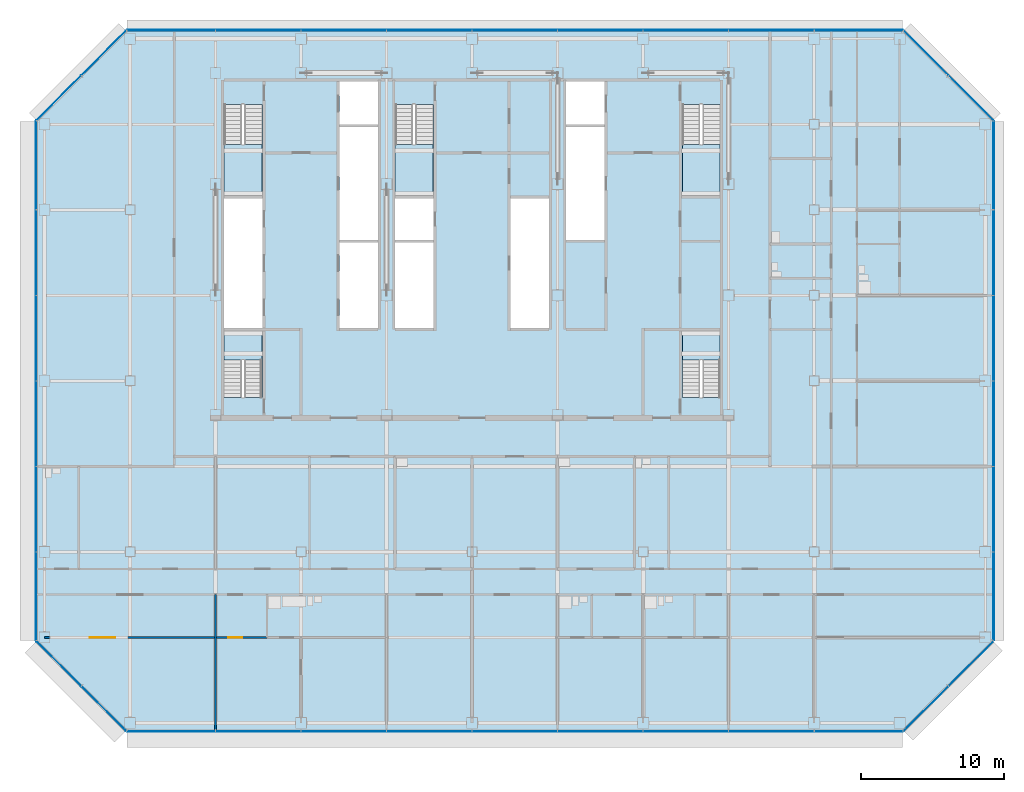
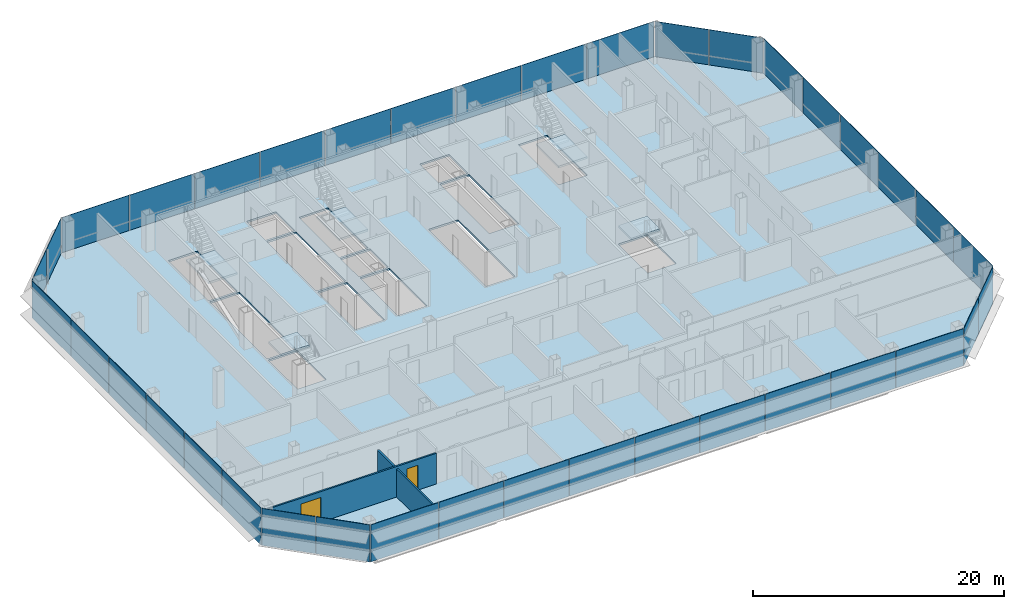
# One storey, part 18 of 25: 38 plates, 6 slabs, 2 doors, 2 walls, 2 openings, 13 elements without a shape of their own.
"""IFC4 building model written with IfcOpenShell, lengths in metres."""

from ifc_helpers import new_model, si_unit, direction, frame, frame_2d, origin, origin_2d, place, context, subcontext, project, spatial, polyline, rectangle, outline, extrude, material, layer, layer_set, type_object, element, fill, aggregate, save


model = new_model("IFC4")

# Units and contexts
model_context = context("Model", 3, precision=1e-05, world=origin(), true_north=direction((0.0, 1.0)))
body_context = subcontext(model_context, "Body", "Model", "MODEL_VIEW")
ifc_project = project(units=[si_unit("LENGTHUNIT", "METRE"), si_unit("AREAUNIT", "SQUARE_METRE"), si_unit("VOLUMEUNIT", "CUBIC_METRE"), si_unit("PLANEANGLEUNIT", "RADIAN"), si_unit("MASSUNIT", "GRAM", prefix="KILO")], contexts=[model_context])

# Site, building, storey
site_placement = place(None, origin())
site = spatial("IfcSite", under=ifc_project, at=site_placement, CompositionType="ELEMENT")
building_placement = place(site_placement, origin())
building = spatial("IfcBuilding", under=site, at=building_placement, Name="Sorahane Residences", CompositionType="ELEMENT")
storey_placement = place(building_placement, frame((0.0, 0.0, 119.60009765625)))
storey = spatial("IfcBuildingStorey", under=building, at=storey_placement, Name="L26", CompositionType="ELEMENT", Elevation=119.60009765625)

# Slab
ifc_material_1 = material(Name="Concrete C35", Category="concrete")
ifc_layer_1 = layer(ifc_material_1, 0.179931640625)
ifc_layer_set_1 = layer_set([ifc_layer_1], Name="Composite floor slab 180 mm Concrete C35")
slab_type_1 = type_object("IfcSlabType", Name="Composite floor slab 180 mm Concrete C35", PredefinedType="FLOOR", material=ifc_layer_set_1)
slab_1_placement = place(storey_placement, frame((0.0, 0.0, -0.18017578125)))
element("IfcSlab", 1, at=slab_1_placement, inside=storey, type_object=slab_type_1, Name="Slab L26", PredefinedType="FLOOR", context=body_context, shape_type="SweptSolid", body=[
    extrude(outline(polyline([(-0.24853515625, -0.60009765625), (-6.60009765625, 5.75146484375), (-6.60009765625, 42.24853515625), (-0.24853515625, 48.60009765625), (54.24853515625, 48.60009765625), (60.60009765625, 42.24853515625), (60.60009765625, 5.75146484375), (54.24853515625, -0.60009765625), (-0.24853515625, -0.60009765625)]), holes=[polyline([(18.60009765625, 27.699951171875), (21.300048828125, 27.699951171875), (21.300048828125, 33.699951171875), (18.60009765625, 33.699951171875), (18.60009765625, 27.699951171875)]), polyline([(30.60009765625, 42.0), (33.300048828125, 42.0), (33.300048828125, 45.0), (30.60009765625, 45.0), (30.60009765625, 42.0)]), polyline([(14.699951171875, 27.699951171875), (17.39990234375, 27.699951171875), (17.39990234375, 33.699951171875), (14.699951171875, 33.699951171875), (14.699951171875, 27.699951171875)]), polyline([(14.699951171875, 42.0), (17.39990234375, 42.0), (17.39990234375, 45.0), (14.699951171875, 45.0), (14.699951171875, 42.0)]), polyline([(6.60009765625, 27.699951171875), (9.300048828125, 27.699951171875), (9.300048828125, 36.800048828125), (6.60009765625, 36.800048828125), (6.60009765625, 27.699951171875)]), polyline([(6.60009765625, 43.39990234375), (6.60009765625, 37.0), (9.25, 37.0), (9.25, 43.39990234375), (6.60009765625, 43.39990234375)]), polyline([(38.75, 43.39990234375), (38.75, 37.0), (41.39990234375, 37.0), (41.39990234375, 43.39990234375), (38.75, 43.39990234375)]), polyline([(18.60009765625, 43.39990234375), (18.60009765625, 37.0), (21.25, 37.0), (21.25, 43.39990234375), (18.60009765625, 43.39990234375)]), polyline([(9.25, 22.85009765625), (9.25, 27.5), (6.60009765625, 27.5), (6.60009765625, 22.85009765625), (9.25, 22.85009765625)]), polyline([(41.39990234375, 22.85009765625), (41.39990234375, 27.5), (38.75, 27.5), (38.75, 22.85009765625), (41.39990234375, 22.85009765625)]), polyline([(14.699951171875, 33.89990234375), (17.39990234375, 33.89990234375), (17.39990234375, 41.800048828125), (14.699951171875, 41.800048828125), (14.699951171875, 33.89990234375)]), polyline([(30.60009765625, 33.89990234375), (33.300048828125, 33.89990234375), (33.300048828125, 41.800048828125), (30.60009765625, 41.800048828125), (30.60009765625, 33.89990234375)]), polyline([(18.60009765625, 33.89990234375), (21.300048828125, 33.89990234375), (21.300048828125, 36.800048828125), (18.60009765625, 36.800048828125), (18.60009765625, 33.89990234375)]), polyline([(26.699951171875, 27.699951171875), (29.39990234375, 27.699951171875), (29.39990234375, 36.800048828125), (26.699951171875, 36.800048828125), (26.699951171875, 27.699951171875)])]), origin(), (0.0, 0.0, 1.0), 0.18017578125),
])

# Curtain wall, plates
ifc_material_2 = material(Name="Dark low-e glass and black anodised aluminium", Category="aluminium")
curtain_wall_type_1 = type_object("IfcCurtainWallType", Name="Curtain wall CW-1 Typical unitised wall", PredefinedType="NOTDEFINED", material=ifc_material_2)
curtain_wall_1_placement = place(storey_placement, origin())
curtain_wall_1 = element("IfcCurtainWall", 2, at=curtain_wall_1_placement, inside=storey, type_object=curtain_wall_type_1, Name="CW-1 curtain wall L26 S1", PredefinedType="NOTDEFINED")
ifc_material_3 = material(Name="Dark low-e glass with black ceramic frit", Category="glass")
ifc_layer_2 = layer(ifc_material_3, 0.0400390625)
ifc_layer_set_2 = layer_set([ifc_layer_2], Name="Curtain wall glass panel dark low-e with black frit spandrel band")
plate_type = type_object("IfcPlateType", Name="Curtain wall glass panel dark low-e with black frit spandrel band", PredefinedType="CURTAIN_PANEL", material=ifc_layer_set_2)
plate_1_placement = place(storey_placement, frame((2.88818359375, -0.60009765625, -0.18017578125), z_axis=(0.0, 0.0, 1.0), x_axis=(1.0, 0.0, 0.0)))
plate_1 = element("IfcPlate", 3, at=plate_1_placement, type_object=plate_type, Name="CW-1 glass panel L26 S1.1", PredefinedType="CURTAIN_PANEL", context=body_context, shape_type="SweptSolid", body=[
    extrude(rectangle(XDim=6.173583984375, YDim=0.0400390625, at=origin_2d()), origin(), (0.0, 0.0, 1.0), 3.60009765625),
])
plate_2_placement = place(storey_placement, frame((9.0, -0.60009765625, -0.18017578125), z_axis=(0.0, 0.0, 1.0), x_axis=(1.0, 0.0, 0.0)))
plate_2 = element("IfcPlate", 4, at=plate_2_placement, type_object=plate_type, Name="CW-1 glass panel L26 S1.2", PredefinedType="CURTAIN_PANEL", context=body_context, shape_type="SweptSolid", body=[
    extrude(rectangle(XDim=5.949951171875, YDim=0.0400390625, at=origin_2d()), origin(), (0.0, 0.0, 1.0), 3.60009765625),
])
plate_3_placement = place(storey_placement, frame((15.0, -0.60009765625, -0.18017578125), z_axis=(0.0, 0.0, 1.0), x_axis=(1.0, 0.0, 0.0)))
plate_3 = element("IfcPlate", 5, at=plate_3_placement, type_object=plate_type, Name="CW-1 glass panel L26 S1.3", PredefinedType="CURTAIN_PANEL", context=body_context, shape_type="SweptSolid", body=[
    extrude(rectangle(XDim=5.949951171875, YDim=0.0400390625, at=origin_2d()), origin(), (0.0, 0.0, 1.0), 3.60009765625),
])
plate_4_placement = place(storey_placement, frame((21.0, -0.60009765625, -0.18017578125), z_axis=(0.0, 0.0, 1.0), x_axis=(1.0, 0.0, 0.0)))
plate_4 = element("IfcPlate", 6, at=plate_4_placement, type_object=plate_type, Name="CW-1 glass panel L26 S1.4", PredefinedType="CURTAIN_PANEL", context=body_context, shape_type="SweptSolid", body=[
    extrude(rectangle(XDim=5.949951171875, YDim=0.0400390625, at=origin_2d()), origin(), (0.0, 0.0, 1.0), 3.60009765625),
])
plate_5_placement = place(storey_placement, frame((27.0, -0.60009765625, -0.18017578125), z_axis=(0.0, 0.0, 1.0), x_axis=(1.0, 0.0, 0.0)))
plate_5 = element("IfcPlate", 7, at=plate_5_placement, type_object=plate_type, Name="CW-1 glass panel L26 S1.5", PredefinedType="CURTAIN_PANEL", context=body_context, shape_type="SweptSolid", body=[
    extrude(rectangle(XDim=5.949951171875, YDim=0.0400390625, at=origin_2d()), origin(), (0.0, 0.0, 1.0), 3.60009765625),
])
plate_6_placement = place(storey_placement, frame((33.0, -0.60009765625, -0.18017578125), z_axis=(0.0, 0.0, 1.0), x_axis=(1.0, 0.0, 0.0)))
plate_6 = element("IfcPlate", 8, at=plate_6_placement, type_object=plate_type, Name="CW-1 glass panel L26 S1.6", PredefinedType="CURTAIN_PANEL", context=body_context, shape_type="SweptSolid", body=[
    extrude(rectangle(XDim=5.949951171875, YDim=0.0400390625, at=origin_2d()), origin(), (0.0, 0.0, 1.0), 3.60009765625),
])
plate_7_placement = place(storey_placement, frame((39.0, -0.60009765625, -0.18017578125), z_axis=(0.0, 0.0, 1.0), x_axis=(1.0, 0.0, 0.0)))
plate_7 = element("IfcPlate", 9, at=plate_7_placement, type_object=plate_type, Name="CW-1 glass panel L26 S1.7", PredefinedType="CURTAIN_PANEL", context=body_context, shape_type="SweptSolid", body=[
    extrude(rectangle(XDim=5.949951171875, YDim=0.0400390625, at=origin_2d()), origin(), (0.0, 0.0, 1.0), 3.60009765625),
])
plate_8_placement = place(storey_placement, frame((45.0, -0.60009765625, -0.18017578125), z_axis=(0.0, 0.0, 1.0), x_axis=(1.0, 0.0, 0.0)))
plate_8 = element("IfcPlate", 10, at=plate_8_placement, type_object=plate_type, Name="CW-1 glass panel L26 S1.8", PredefinedType="CURTAIN_PANEL", context=body_context, shape_type="SweptSolid", body=[
    extrude(rectangle(XDim=5.949951171875, YDim=0.0400390625, at=origin_2d()), origin(), (0.0, 0.0, 1.0), 3.60009765625),
])
plate_9_placement = place(storey_placement, frame((51.11181640625, -0.60009765625, -0.18017578125), z_axis=(0.0, 0.0, 1.0), x_axis=(1.0, 0.0, 0.0)))
plate_9 = element("IfcPlate", 11, at=plate_9_placement, type_object=plate_type, Name="CW-1 glass panel L26 S1.9", PredefinedType="CURTAIN_PANEL", context=body_context, shape_type="SweptSolid", body=[
    extrude(rectangle(XDim=6.173583984375, YDim=0.0400390625, at=origin_2d()), origin(), (0.0, 0.0, 1.0), 3.60009765625),
])
aggregate(curtain_wall_1, [plate_1, plate_2, plate_3, plate_4, plate_5, plate_6, plate_7, plate_8, plate_9])

ifc_material_4 = material(Name="Dark low-e glass and black anodised aluminium", Category="aluminium")
curtain_wall_type_2 = type_object("IfcCurtainWallType", Name="Curtain wall CW-2 Chamfer unitised wall", PredefinedType="NOTDEFINED", material=ifc_material_4)
curtain_wall_2_placement = place(storey_placement, origin())
curtain_wall_2 = element("IfcCurtainWall", 12, at=curtain_wall_2_placement, inside=storey, type_object=curtain_wall_type_2, Name="CW-2 curtain wall L26 SE1", PredefinedType="NOTDEFINED")
plate_10_placement = place(storey_placement, frame((55.84521484375, 0.996826171875, -0.18017578125), z_axis=(0.0, 0.0, 1.0), x_axis=(0.707106781187, 0.707106781187, 0.0)))
plate_10 = element("IfcPlate", 13, at=plate_10_placement, type_object=plate_type, Name="CW-2 glass panel L26 SE1.1", PredefinedType="CURTAIN_PANEL", context=body_context, shape_type="SweptSolid", body=[
    extrude(rectangle(XDim=4.416259765625, YDim=0.0400390625, at=origin_2d()), origin(), (0.0, 0.0, 1.0), 3.60009765625),
])
plate_11_placement = place(storey_placement, frame((59.003173828125, 4.15478515625, -0.18017578125), z_axis=(0.0, 0.0, 1.0), x_axis=(0.707106781187, 0.707106781187, 0.0)))
plate_11 = element("IfcPlate", 14, at=plate_11_placement, type_object=plate_type, Name="CW-2 glass panel L26 SE1.2", PredefinedType="CURTAIN_PANEL", context=body_context, shape_type="SweptSolid", body=[
    extrude(rectangle(XDim=4.416259765625, YDim=0.0400390625, at=origin_2d()), origin(), (0.0, 0.0, 1.0), 3.60009765625),
])
aggregate(curtain_wall_2, [plate_10, plate_11])

curtain_wall_3_placement = place(storey_placement, origin())
curtain_wall_3 = element("IfcCurtainWall", 15, at=curtain_wall_3_placement, inside=storey, type_object=curtain_wall_type_1, Name="CW-1 curtain wall L26 E1", PredefinedType="NOTDEFINED")
plate_12_placement = place(storey_placement, frame((60.60009765625, 8.88818359375, -0.18017578125), z_axis=(0.0, 0.0, 1.0), x_axis=(0.0, 1.0, 0.0)))
plate_12 = element("IfcPlate", 16, at=plate_12_placement, type_object=plate_type, Name="CW-1 glass panel L26 E1.1", PredefinedType="CURTAIN_PANEL", context=body_context, shape_type="SweptSolid", body=[
    extrude(rectangle(XDim=6.173583984375, YDim=0.0400390625, at=origin_2d()), origin(), (0.0, 0.0, 1.0), 3.60009765625),
])
plate_13_placement = place(storey_placement, frame((60.60009765625, 15.0, -0.18017578125), z_axis=(0.0, 0.0, 1.0), x_axis=(0.0, 1.0, 0.0)))
plate_13 = element("IfcPlate", 17, at=plate_13_placement, type_object=plate_type, Name="CW-1 glass panel L26 E1.2", PredefinedType="CURTAIN_PANEL", context=body_context, shape_type="SweptSolid", body=[
    extrude(rectangle(XDim=5.949951171875, YDim=0.0400390625, at=origin_2d()), origin(), (0.0, 0.0, 1.0), 3.60009765625),
])
plate_14_placement = place(storey_placement, frame((60.60009765625, 21.0, -0.18017578125), z_axis=(0.0, 0.0, 1.0), x_axis=(0.0, 1.0, 0.0)))
plate_14 = element("IfcPlate", 18, at=plate_14_placement, type_object=plate_type, Name="CW-1 glass panel L26 E1.3", PredefinedType="CURTAIN_PANEL", context=body_context, shape_type="SweptSolid", body=[
    extrude(rectangle(XDim=5.949951171875, YDim=0.0400390625, at=origin_2d()), origin(), (0.0, 0.0, 1.0), 3.60009765625),
])
plate_15_placement = place(storey_placement, frame((60.60009765625, 27.0, -0.18017578125), z_axis=(0.0, 0.0, 1.0), x_axis=(0.0, 1.0, 0.0)))
plate_15 = element("IfcPlate", 19, at=plate_15_placement, type_object=plate_type, Name="CW-1 glass panel L26 E1.4", PredefinedType="CURTAIN_PANEL", context=body_context, shape_type="SweptSolid", body=[
    extrude(rectangle(XDim=5.949951171875, YDim=0.0400390625, at=origin_2d()), origin(), (0.0, 0.0, 1.0), 3.60009765625),
])
plate_16_placement = place(storey_placement, frame((60.60009765625, 33.0, -0.18017578125), z_axis=(0.0, 0.0, 1.0), x_axis=(0.0, 1.0, 0.0)))
plate_16 = element("IfcPlate", 20, at=plate_16_placement, type_object=plate_type, Name="CW-1 glass panel L26 E1.5", PredefinedType="CURTAIN_PANEL", context=body_context, shape_type="SweptSolid", body=[
    extrude(rectangle(XDim=5.949951171875, YDim=0.0400390625, at=origin_2d()), origin(), (0.0, 0.0, 1.0), 3.60009765625),
])
plate_17_placement = place(storey_placement, frame((60.60009765625, 39.11181640625, -0.18017578125), z_axis=(0.0, 0.0, 1.0), x_axis=(0.0, 1.0, 0.0)))
plate_17 = element("IfcPlate", 21, at=plate_17_placement, type_object=plate_type, Name="CW-1 glass panel L26 E1.6", PredefinedType="CURTAIN_PANEL", context=body_context, shape_type="SweptSolid", body=[
    extrude(rectangle(XDim=6.173583984375, YDim=0.0400390625, at=origin_2d()), origin(), (0.0, 0.0, 1.0), 3.60009765625),
])
aggregate(curtain_wall_3, [plate_12, plate_13, plate_14, plate_15, plate_16, plate_17])

curtain_wall_4_placement = place(storey_placement, origin())
curtain_wall_4 = element("IfcCurtainWall", 22, at=curtain_wall_4_placement, inside=storey, type_object=curtain_wall_type_2, Name="CW-2 curtain wall L26 NE1", PredefinedType="NOTDEFINED")
plate_18_placement = place(storey_placement, frame((59.003173828125, 43.84521484375, -0.18017578125), z_axis=(0.0, 0.0, 1.0), x_axis=(-0.707106781187, 0.707106781187, 0.0)))
plate_18 = element("IfcPlate", 23, at=plate_18_placement, type_object=plate_type, Name="CW-2 glass panel L26 NE1.1", PredefinedType="CURTAIN_PANEL", context=body_context, shape_type="SweptSolid", body=[
    extrude(rectangle(XDim=4.416259765625, YDim=0.0400390625, at=origin_2d()), origin(), (0.0, 0.0, 1.0), 3.60009765625),
])
plate_19_placement = place(storey_placement, frame((55.84521484375, 47.003173828125, -0.18017578125), z_axis=(0.0, 0.0, 1.0), x_axis=(-0.707106781187, 0.707106781187, 0.0)))
plate_19 = element("IfcPlate", 24, at=plate_19_placement, type_object=plate_type, Name="CW-2 glass panel L26 NE1.2", PredefinedType="CURTAIN_PANEL", context=body_context, shape_type="SweptSolid", body=[
    extrude(rectangle(XDim=4.416259765625, YDim=0.0400390625, at=origin_2d()), origin(), (0.0, 0.0, 1.0), 3.60009765625),
])
aggregate(curtain_wall_4, [plate_18, plate_19])

curtain_wall_5_placement = place(storey_placement, origin())
curtain_wall_5 = element("IfcCurtainWall", 25, at=curtain_wall_5_placement, inside=storey, type_object=curtain_wall_type_1, Name="CW-1 curtain wall L26 N1", PredefinedType="NOTDEFINED")
plate_20_placement = place(storey_placement, frame((51.11181640625, 48.60009765625, -0.18017578125), z_axis=(0.0, 0.0, 1.0), x_axis=(-1.0, 0.0, 0.0)))
plate_20 = element("IfcPlate", 26, at=plate_20_placement, type_object=plate_type, Name="CW-1 glass panel L26 N1.1", PredefinedType="CURTAIN_PANEL", context=body_context, shape_type="SweptSolid", body=[
    extrude(rectangle(XDim=6.173583984375, YDim=0.0400390625, at=origin_2d()), origin(), (0.0, 0.0, 1.0), 3.60009765625),
])
plate_21_placement = place(storey_placement, frame((45.0, 48.60009765625, -0.18017578125), z_axis=(0.0, 0.0, 1.0), x_axis=(-1.0, 0.0, 0.0)))
plate_21 = element("IfcPlate", 27, at=plate_21_placement, type_object=plate_type, Name="CW-1 glass panel L26 N1.2", PredefinedType="CURTAIN_PANEL", context=body_context, shape_type="SweptSolid", body=[
    extrude(rectangle(XDim=5.949951171875, YDim=0.0400390625, at=origin_2d()), origin(), (0.0, 0.0, 1.0), 3.60009765625),
])
plate_22_placement = place(storey_placement, frame((39.0, 48.60009765625, -0.18017578125), z_axis=(0.0, 0.0, 1.0), x_axis=(-1.0, 0.0, 0.0)))
plate_22 = element("IfcPlate", 28, at=plate_22_placement, type_object=plate_type, Name="CW-1 glass panel L26 N1.3", PredefinedType="CURTAIN_PANEL", context=body_context, shape_type="SweptSolid", body=[
    extrude(rectangle(XDim=5.949951171875, YDim=0.0400390625, at=origin_2d()), origin(), (0.0, 0.0, 1.0), 3.60009765625),
])
plate_23_placement = place(storey_placement, frame((33.0, 48.60009765625, -0.18017578125), z_axis=(0.0, 0.0, 1.0), x_axis=(-1.0, 0.0, 0.0)))
plate_23 = element("IfcPlate", 29, at=plate_23_placement, type_object=plate_type, Name="CW-1 glass panel L26 N1.4", PredefinedType="CURTAIN_PANEL", context=body_context, shape_type="SweptSolid", body=[
    extrude(rectangle(XDim=5.949951171875, YDim=0.0400390625, at=origin_2d()), origin(), (0.0, 0.0, 1.0), 3.60009765625),
])
plate_24_placement = place(storey_placement, frame((27.0, 48.60009765625, -0.18017578125), z_axis=(0.0, 0.0, 1.0), x_axis=(-1.0, 0.0, 0.0)))
plate_24 = element("IfcPlate", 30, at=plate_24_placement, type_object=plate_type, Name="CW-1 glass panel L26 N1.5", PredefinedType="CURTAIN_PANEL", context=body_context, shape_type="SweptSolid", body=[
    extrude(rectangle(XDim=5.949951171875, YDim=0.0400390625, at=origin_2d()), origin(), (0.0, 0.0, 1.0), 3.60009765625),
])
plate_25_placement = place(storey_placement, frame((21.0, 48.60009765625, -0.18017578125), z_axis=(0.0, 0.0, 1.0), x_axis=(-1.0, 0.0, 0.0)))
plate_25 = element("IfcPlate", 31, at=plate_25_placement, type_object=plate_type, Name="CW-1 glass panel L26 N1.6", PredefinedType="CURTAIN_PANEL", context=body_context, shape_type="SweptSolid", body=[
    extrude(rectangle(XDim=5.949951171875, YDim=0.0400390625, at=origin_2d()), origin(), (0.0, 0.0, 1.0), 3.60009765625),
])
plate_26_placement = place(storey_placement, frame((15.0, 48.60009765625, -0.18017578125), z_axis=(0.0, 0.0, 1.0), x_axis=(-1.0, 0.0, 0.0)))
plate_26 = element("IfcPlate", 32, at=plate_26_placement, type_object=plate_type, Name="CW-1 glass panel L26 N1.7", PredefinedType="CURTAIN_PANEL", context=body_context, shape_type="SweptSolid", body=[
    extrude(rectangle(XDim=5.949951171875, YDim=0.0400390625, at=origin_2d()), origin(), (0.0, 0.0, 1.0), 3.60009765625),
])
plate_27_placement = place(storey_placement, frame((9.0, 48.60009765625, -0.18017578125), z_axis=(0.0, 0.0, 1.0), x_axis=(-1.0, 0.0, 0.0)))
plate_27 = element("IfcPlate", 33, at=plate_27_placement, type_object=plate_type, Name="CW-1 glass panel L26 N1.8", PredefinedType="CURTAIN_PANEL", context=body_context, shape_type="SweptSolid", body=[
    extrude(rectangle(XDim=5.949951171875, YDim=0.0400390625, at=origin_2d()), origin(), (0.0, 0.0, 1.0), 3.60009765625),
])
plate_28_placement = place(storey_placement, frame((2.88818359375, 48.60009765625, -0.18017578125), z_axis=(0.0, 0.0, 1.0), x_axis=(-1.0, 0.0, 0.0)))
plate_28 = element("IfcPlate", 34, at=plate_28_placement, type_object=plate_type, Name="CW-1 glass panel L26 N1.9", PredefinedType="CURTAIN_PANEL", context=body_context, shape_type="SweptSolid", body=[
    extrude(rectangle(XDim=6.173583984375, YDim=0.0400390625, at=origin_2d()), origin(), (0.0, 0.0, 1.0), 3.60009765625),
])
aggregate(curtain_wall_5, [plate_20, plate_21, plate_22, plate_23, plate_24, plate_25, plate_26, plate_27, plate_28])

curtain_wall_6_placement = place(storey_placement, origin())
curtain_wall_6 = element("IfcCurtainWall", 35, at=curtain_wall_6_placement, inside=storey, type_object=curtain_wall_type_2, Name="CW-2 curtain wall L26 NW1", PredefinedType="NOTDEFINED")
plate_29_placement = place(storey_placement, frame((-1.84521484375, 47.003173828125, -0.18017578125), z_axis=(0.0, 0.0, 1.0), x_axis=(-0.707106781187, -0.707106781187, 0.0)))
plate_29 = element("IfcPlate", 36, at=plate_29_placement, type_object=plate_type, Name="CW-2 glass panel L26 NW1.1", PredefinedType="CURTAIN_PANEL", context=body_context, shape_type="SweptSolid", body=[
    extrude(rectangle(XDim=4.416259765625, YDim=0.0400390625, at=origin_2d()), origin(), (0.0, 0.0, 1.0), 3.60009765625),
])
plate_30_placement = place(storey_placement, frame((-5.003173828125, 43.84521484375, -0.18017578125), z_axis=(0.0, 0.0, 1.0), x_axis=(-0.707106781187, -0.707106781187, 0.0)))
plate_30 = element("IfcPlate", 37, at=plate_30_placement, type_object=plate_type, Name="CW-2 glass panel L26 NW1.2", PredefinedType="CURTAIN_PANEL", context=body_context, shape_type="SweptSolid", body=[
    extrude(rectangle(XDim=4.416259765625, YDim=0.0400390625, at=origin_2d()), origin(), (0.0, 0.0, 1.0), 3.60009765625),
])
aggregate(curtain_wall_6, [plate_29, plate_30])

curtain_wall_7_placement = place(storey_placement, origin())
curtain_wall_7 = element("IfcCurtainWall", 38, at=curtain_wall_7_placement, inside=storey, type_object=curtain_wall_type_1, Name="CW-1 curtain wall L26 W1", PredefinedType="NOTDEFINED")
plate_31_placement = place(storey_placement, frame((-6.60009765625, 39.11181640625, -0.18017578125), z_axis=(0.0, 0.0, 1.0), x_axis=(0.0, -1.0, 0.0)))
plate_31 = element("IfcPlate", 39, at=plate_31_placement, type_object=plate_type, Name="CW-1 glass panel L26 W1.1", PredefinedType="CURTAIN_PANEL", context=body_context, shape_type="SweptSolid", body=[
    extrude(rectangle(XDim=6.173583984375, YDim=0.0400390625, at=origin_2d()), origin(), (0.0, 0.0, 1.0), 3.60009765625),
])
plate_32_placement = place(storey_placement, frame((-6.60009765625, 33.0, -0.18017578125), z_axis=(0.0, 0.0, 1.0), x_axis=(0.0, -1.0, 0.0)))
plate_32 = element("IfcPlate", 40, at=plate_32_placement, type_object=plate_type, Name="CW-1 glass panel L26 W1.2", PredefinedType="CURTAIN_PANEL", context=body_context, shape_type="SweptSolid", body=[
    extrude(rectangle(XDim=5.949951171875, YDim=0.0400390625, at=origin_2d()), origin(), (0.0, 0.0, 1.0), 3.60009765625),
])
plate_33_placement = place(storey_placement, frame((-6.60009765625, 27.0, -0.18017578125), z_axis=(0.0, 0.0, 1.0), x_axis=(0.0, -1.0, 0.0)))
plate_33 = element("IfcPlate", 41, at=plate_33_placement, type_object=plate_type, Name="CW-1 glass panel L26 W1.3", PredefinedType="CURTAIN_PANEL", context=body_context, shape_type="SweptSolid", body=[
    extrude(rectangle(XDim=5.949951171875, YDim=0.0400390625, at=origin_2d()), origin(), (0.0, 0.0, 1.0), 3.60009765625),
])
plate_34_placement = place(storey_placement, frame((-6.60009765625, 21.0, -0.18017578125), z_axis=(0.0, 0.0, 1.0), x_axis=(0.0, -1.0, 0.0)))
plate_34 = element("IfcPlate", 42, at=plate_34_placement, type_object=plate_type, Name="CW-1 glass panel L26 W1.4", PredefinedType="CURTAIN_PANEL", context=body_context, shape_type="SweptSolid", body=[
    extrude(rectangle(XDim=5.949951171875, YDim=0.0400390625, at=origin_2d()), origin(), (0.0, 0.0, 1.0), 3.60009765625),
])
plate_35_placement = place(storey_placement, frame((-6.60009765625, 15.0, -0.18017578125), z_axis=(0.0, 0.0, 1.0), x_axis=(0.0, -1.0, 0.0)))
plate_35 = element("IfcPlate", 43, at=plate_35_placement, type_object=plate_type, Name="CW-1 glass panel L26 W1.5", PredefinedType="CURTAIN_PANEL", context=body_context, shape_type="SweptSolid", body=[
    extrude(rectangle(XDim=5.949951171875, YDim=0.0400390625, at=origin_2d()), origin(), (0.0, 0.0, 1.0), 3.60009765625),
])
plate_36_placement = place(storey_placement, frame((-6.60009765625, 8.88818359375, -0.18017578125), z_axis=(0.0, 0.0, 1.0), x_axis=(0.0, -1.0, 0.0)))
plate_36 = element("IfcPlate", 44, at=plate_36_placement, type_object=plate_type, Name="CW-1 glass panel L26 W1.6", PredefinedType="CURTAIN_PANEL", context=body_context, shape_type="SweptSolid", body=[
    extrude(rectangle(XDim=6.173583984375, YDim=0.0400390625, at=origin_2d()), origin(), (0.0, 0.0, 1.0), 3.60009765625),
])
aggregate(curtain_wall_7, [plate_31, plate_32, plate_33, plate_34, plate_35, plate_36])

curtain_wall_8_placement = place(storey_placement, origin())
curtain_wall_8 = element("IfcCurtainWall", 45, at=curtain_wall_8_placement, inside=storey, type_object=curtain_wall_type_2, Name="CW-2 curtain wall L26 SW1", PredefinedType="NOTDEFINED")
plate_37_placement = place(storey_placement, frame((-5.003173828125, 4.15478515625, -0.18017578125), z_axis=(0.0, 0.0, 1.0), x_axis=(0.707106781187, -0.707106781187, 0.0)))
plate_37 = element("IfcPlate", 46, at=plate_37_placement, type_object=plate_type, Name="CW-2 glass panel L26 SW1.1", PredefinedType="CURTAIN_PANEL", context=body_context, shape_type="SweptSolid", body=[
    extrude(rectangle(XDim=4.416259765625, YDim=0.0400390625, at=origin_2d()), origin(), (0.0, 0.0, 1.0), 3.60009765625),
])
plate_38_placement = place(storey_placement, frame((-1.84521484375, 0.996826171875, -0.18017578125), z_axis=(0.0, 0.0, 1.0), x_axis=(0.707106781187, -0.707106781187, 0.0)))
plate_38 = element("IfcPlate", 47, at=plate_38_placement, type_object=plate_type, Name="CW-2 glass panel L26 SW1.2", PredefinedType="CURTAIN_PANEL", context=body_context, shape_type="SweptSolid", body=[
    extrude(rectangle(XDim=4.416259765625, YDim=0.0400390625, at=origin_2d()), origin(), (0.0, 0.0, 1.0), 3.60009765625),
])
aggregate(curtain_wall_8, [plate_37, plate_38])

# Stair, slab
ifc_material_5 = material(Name="Concrete C40", Category="concrete")
stair_type = type_object("IfcStairType", Name="Dog-leg stair 1250 Concrete C40", PredefinedType="HALF_TURN_STAIR", material=ifc_material_5)
stair_1_placement = place(storey_placement, origin())
stair_1 = element("IfcStair", 48, at=stair_1_placement, inside=storey, type_object=stair_type, Name="L26 Stair S1", PredefinedType="HALF_TURN_STAIR")
ifc_material_6 = material(Name="Concrete C40", Category="concrete")
ifc_layer_3 = layer(ifc_material_6, 0.199951171875)
ifc_layer_set_3 = layer_set([ifc_layer_3], Name="Stair landing 200 Concrete C40")
slab_type_2 = type_object("IfcSlabType", Name="Stair landing 200 Concrete C40", PredefinedType="LANDING", material=ifc_layer_set_3)
slab_2_placement = place(storey_placement, frame((0.0, 0.0, 1.599853515625)))
slab_2 = element("IfcSlab", 49, at=slab_2_placement, type_object=slab_type_2, Name="S1 landing 1", PredefinedType="LANDING", context=body_context, shape_type="SweptSolid", body=[
    extrude(outline(polyline([(6.60009765625, 40.60009765625), (6.60009765625, 37.0), (9.25, 37.0), (9.25, 40.60009765625), (6.60009765625, 40.60009765625)])), origin(), (0.0, 0.0, 1.0), 0.199951171875),
])
aggregate(stair_1, [slab_2])

stair_2_placement = place(storey_placement, origin())
stair_2 = element("IfcStair", 50, at=stair_2_placement, inside=storey, type_object=stair_type, Name="L26 Stair S2", PredefinedType="HALF_TURN_STAIR")
slab_3_placement = place(storey_placement, frame((0.0, 0.0, 1.599853515625)))
slab_3 = element("IfcSlab", 51, at=slab_3_placement, type_object=slab_type_2, Name="S2 landing 1", PredefinedType="LANDING", context=body_context, shape_type="SweptSolid", body=[
    extrude(outline(polyline([(38.75, 40.60009765625), (38.75, 37.0), (41.39990234375, 37.0), (41.39990234375, 40.60009765625), (38.75, 40.60009765625)])), origin(), (0.0, 0.0, 1.0), 0.199951171875),
])
aggregate(stair_2, [slab_3])

stair_3_placement = place(storey_placement, origin())
stair_3 = element("IfcStair", 52, at=stair_3_placement, inside=storey, type_object=stair_type, Name="L26 Stair S3", PredefinedType="HALF_TURN_STAIR")
slab_4_placement = place(storey_placement, frame((0.0, 0.0, 1.599853515625)))
slab_4 = element("IfcSlab", 53, at=slab_4_placement, type_object=slab_type_2, Name="S3 landing 1", PredefinedType="LANDING", context=body_context, shape_type="SweptSolid", body=[
    extrude(outline(polyline([(18.60009765625, 40.60009765625), (18.60009765625, 37.0), (21.25, 37.0), (21.25, 40.60009765625), (18.60009765625, 40.60009765625)])), origin(), (0.0, 0.0, 1.0), 0.199951171875),
])
aggregate(stair_3, [slab_4])

stair_4_placement = place(storey_placement, origin())
stair_4 = element("IfcStair", 54, at=stair_4_placement, inside=storey, type_object=stair_type, Name="L26 Stair S4", PredefinedType="HALF_TURN_STAIR")
slab_5_placement = place(storey_placement, frame((0.0, 0.0, 1.599853515625)))
slab_5 = element("IfcSlab", 55, at=slab_5_placement, type_object=slab_type_2, Name="S4 landing 1", PredefinedType="LANDING", context=body_context, shape_type="SweptSolid", body=[
    extrude(outline(polyline([(9.25, 25.449951171875), (9.25, 27.5), (6.60009765625, 27.5), (6.60009765625, 25.449951171875), (9.25, 25.449951171875)])), origin(), (0.0, 0.0, 1.0), 0.199951171875),
])
aggregate(stair_4, [slab_5])

stair_5_placement = place(storey_placement, origin())
stair_5 = element("IfcStair", 56, at=stair_5_placement, inside=storey, type_object=stair_type, Name="L26 Stair S5", PredefinedType="HALF_TURN_STAIR")
slab_6_placement = place(storey_placement, frame((0.0, 0.0, 1.599853515625)))
slab_6 = element("IfcSlab", 57, at=slab_6_placement, type_object=slab_type_2, Name="S5 landing 1", PredefinedType="LANDING", context=body_context, shape_type="SweptSolid", body=[
    extrude(outline(polyline([(41.39990234375, 25.449951171875), (41.39990234375, 27.5), (38.75, 27.5), (38.75, 25.449951171875), (41.39990234375, 25.449951171875)])), origin(), (0.0, 0.0, 1.0), 0.199951171875),
])
aggregate(stair_5, [slab_6])

# Wall
ifc_material_7 = material(Name="Gypsum board partition on steel studs", Category="steel")
ifc_layer_4 = layer(ifc_material_7, 0.14990234375)
ifc_layer_set_4 = layer_set([ifc_layer_4], Name="Partition 150 EI 90")
wall_type = type_object("IfcWallType", Name="Partition 150 EI 90", PredefinedType="PARTITIONING", material=ifc_layer_set_4)
wall_1_placement = place(storey_placement, frame((6.0, -0.60009765625, 0.0), z_axis=(0.0, 0.0, 1.0), x_axis=(0.0, 1.0, 0.0)))
element("IfcWall", 58, at=wall_1_placement, inside=storey, type_object=wall_type, Name="L26 partition", PredefinedType="PARTITIONING", context=body_context, shape_type="SweptSolid", body=[
    extrude(rectangle(XDim=9.60009765625, YDim=0.14990234375, at=frame_2d((4.800048828125, 0.0))), origin(), (0.0, 0.0, 1.0), 2.719970703125),
])

# Wall, openings, doors
wall_2_placement = place(storey_placement, frame((-6.0, 6.0, 0.0), z_axis=(0.0, 0.0, 1.0), x_axis=(1.0, 0.0, 0.0)))
wall_2 = element("IfcWall", 59, at=wall_2_placement, inside=storey, type_object=wall_type, Name="L26 partition", PredefinedType="PARTITIONING", context=body_context, shape_type="SweptSolid", body=[
    extrude(rectangle(XDim=15.60009765625, YDim=0.14990234375, at=frame_2d((7.800048828125, 0.0))), origin(), (0.0, 0.0, 1.0), 2.969970703125),
])
opening_1_placement = place(wall_2_placement, frame((3.159912109375, 0.0, 0.0)))
opening_1 = element("IfcOpeningElement", 60, at=opening_1_placement, cuts=wall_2, Name="Opening L26-09", PredefinedType="OPENING", context=body_context, shape_type="SweptSolid", body=[
    extrude(rectangle(XDim=1.800048828125, YDim=2.39990234375, at=frame_2d((0.89990234375, 1.199951171875))), frame((0.0, 0.0849609375, 0.0), z_axis=(0.0, -1.0, 0.0), x_axis=(1.0, 0.0, 0.0)), (0.0, 0.0, 1.0), 0.169921875),
])
opening_2_placement = place(wall_2_placement, frame((12.8798828125, 0.0, 0.0)))
opening_2 = element("IfcOpeningElement", 61, at=opening_2_placement, cuts=wall_2, Name="Opening L26-10", PredefinedType="OPENING", context=body_context, shape_type="SweptSolid", body=[
    extrude(rectangle(XDim=1.0, YDim=2.39990234375, at=frame_2d((0.5, 1.199951171875))), frame((0.0, 0.0849609375, 0.0), z_axis=(0.0, -1.0, 0.0), x_axis=(1.0, 0.0, 0.0)), (0.0, 0.0, 1.0), 0.169921875),
])
ifc_material_8 = material(Name="Timber veneered fire door", Category="wood")
door_type_1 = type_object("IfcDoorType", Name="Double door 1800x2400 FD30", OperationType="NOTDEFINED", PredefinedType="DOOR", material=ifc_material_8)
door_1_placement = place(opening_1_placement, frame((1.800048828125, 0.0, 0.0), z_axis=(0.0, 0.0, 1.0), x_axis=(-1.0, 0.0, 0.0)))
door_1 = element("IfcDoor", 62, at=door_1_placement, inside=storey, type_object=door_type_1, Name="Double door L26-09", OperationType="SINGLE_SWING_RIGHT", OverallHeight=2.39990234375, OverallWidth=1.800048828125, PredefinedType="DOOR", context=body_context, shape_type="SweptSolid", body=[
    extrude(rectangle(XDim=1.800048828125, YDim=2.39990234375, at=frame_2d((0.89990234375, 1.199951171875))), frame((0.0, 0.02490234375, 0.0), z_axis=(0.0, -1.0, 0.0), x_axis=(1.0, 0.0, 0.0)), (0.0, 0.0, 1.0), 0.050048828125),
])
fill(opening_1, door_1)
ifc_material_9 = material(Name="Timber veneered fire door", Category="wood")
door_type_2 = type_object("IfcDoorType", Name="Room door 1000x2400 FD30", OperationType="NOTDEFINED", PredefinedType="DOOR", material=ifc_material_9)
door_2_placement = place(opening_2_placement, frame((1.0, 0.0, 0.0), z_axis=(0.0, 0.0, 1.0), x_axis=(-1.0, 0.0, 0.0)))
door_2 = element("IfcDoor", 63, at=door_2_placement, inside=storey, type_object=door_type_2, Name="Room door L26-10", OperationType="SINGLE_SWING_RIGHT", OverallHeight=2.39990234375, OverallWidth=1.0, PredefinedType="DOOR", context=body_context, shape_type="SweptSolid", body=[
    extrude(rectangle(XDim=1.0, YDim=2.39990234375, at=frame_2d((0.5, 1.199951171875))), frame((0.0, 0.02490234375, 0.0), z_axis=(0.0, -1.0, 0.0), x_axis=(1.0, 0.0, 0.0)), (0.0, 0.0, 1.0), 0.050048828125),
])
fill(opening_2, door_2)

save(model, "model.ifc")
